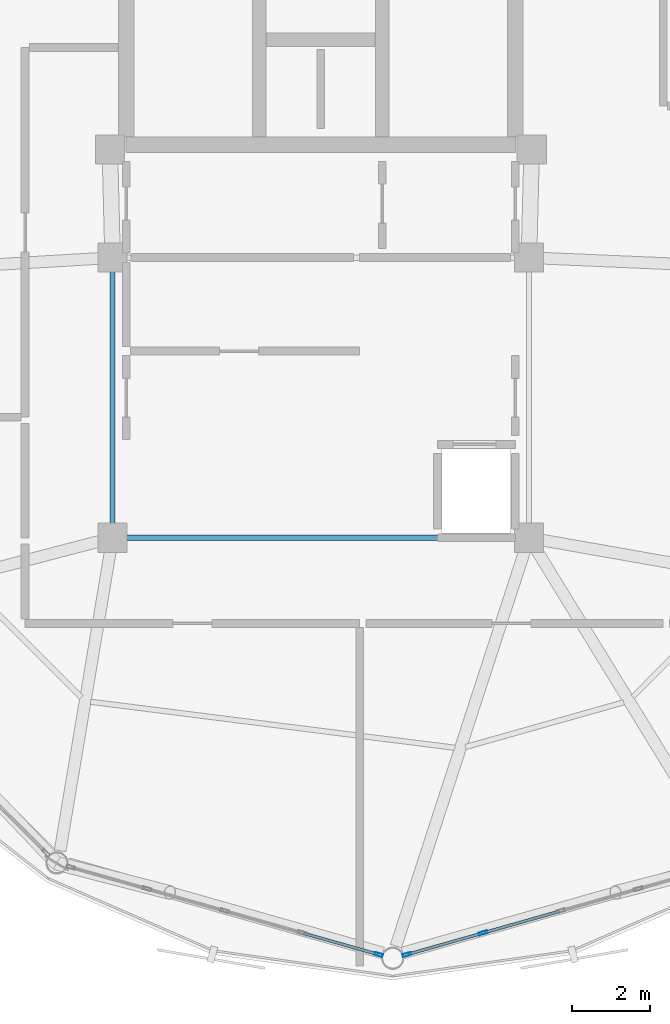
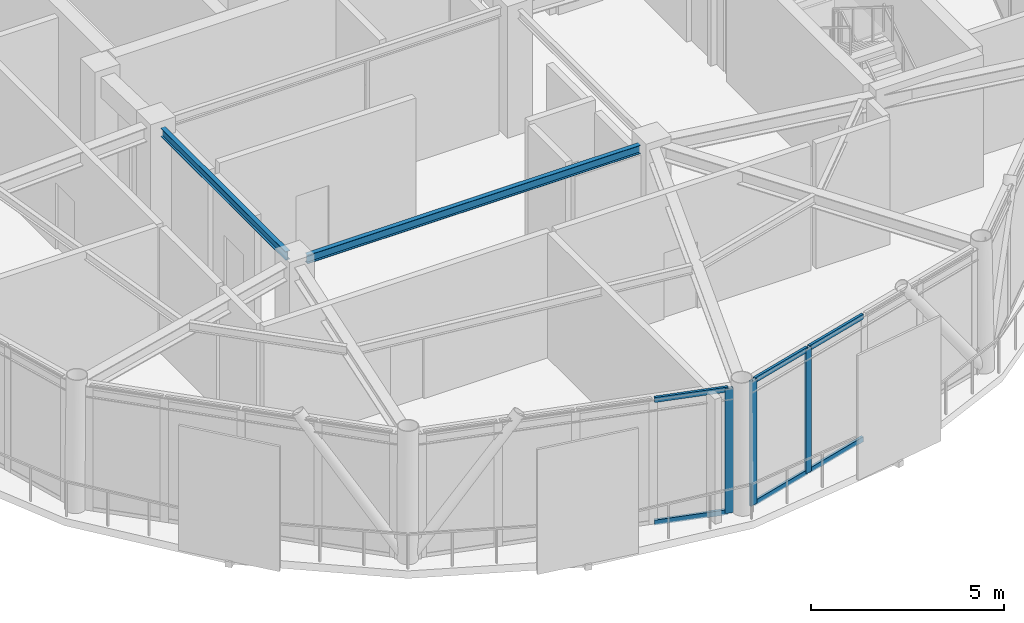
# One storey, part 4 of 20: 9 members, 2 beams, 2 elements without a shape of their own.
"""IFC4 building model written with IfcOpenShell, lengths in metres."""

from ifc_helpers import new_model, si_unit, direction, frame, origin, origin_2d, place, context, subcontext, project, spatial, hollow_rectangle, i_section, extrude, material, layer, layer_set, material_profile, profile_set, type_object, element, aggregate, save


model = new_model("IFC4")

# Units and contexts
model_context = context("Model", 3, precision=1e-05, world=origin(), true_north=direction((0.0, 1.0)))
body_context = subcontext(model_context, "Body", "Model", "MODEL_VIEW")
ifc_project = project(units=[si_unit("LENGTHUNIT", "METRE"), si_unit("AREAUNIT", "SQUARE_METRE"), si_unit("VOLUMEUNIT", "CUBIC_METRE"), si_unit("PLANEANGLEUNIT", "RADIAN"), si_unit("MASSUNIT", "GRAM", prefix="KILO")], contexts=[model_context])

# Site, building, storey
site_placement = place(None, origin())
site = spatial("IfcSite", under=ifc_project, at=site_placement, CompositionType="ELEMENT")
building_placement = place(site_placement, origin())
building = spatial("IfcBuilding", under=site, at=building_placement, Name="Varnakorn Sky Granary", CompositionType="ELEMENT")
storey_placement = place(building_placement, frame((0.0, 0.0, 306.60009765625)))
storey = spatial("IfcBuildingStorey", under=building, at=storey_placement, Name="L78", CompositionType="ELEMENT", Elevation=306.60009765625)

# Beams
ifc_material_1 = material(Name="Steel S355JR", Category="steel")
ifc_material_profile_1 = material_profile(ifc_material_1, i_section(OverallWidth=0.135009765625, OverallDepth=0.27001953125, WebThickness=0.006591796875, FlangeThickness=0.01025390625, at=origin_2d()), Name="IPE 270")
ifc_profile_set_1 = profile_set([ifc_material_profile_1], Name="Steel S355JR")
beam_type = type_object("IfcBeamType", Name="BM-SEC-Z5", PredefinedType="BEAM", material=ifc_profile_set_1)
beam_1_placement = place(storey_placement, frame((-2.35009765625, 0.2451171875, 3.824951171875), z_axis=(0.0, -1.0, 0.0), x_axis=(1.0, 0.0, 0.0)))
element("IfcBeam", 1, at=beam_1_placement, inside=storey, type_object=beam_type, Name="Core Spine Framing Beam 3 L78", PredefinedType="BEAM", context=body_context, shape_type="SweptSolid", body=[
    extrude(i_section(OverallWidth=0.135009765625, OverallDepth=0.27001953125, WebThickness=0.006591796875, FlangeThickness=0.01025390625, at=origin_2d()), origin(), (0.0, 0.0, 1.0), 6.490234375),
])
beam_2_placement = place(storey_placement, frame((-1.9951171875, -6.60009765625, 3.824951171875), z_axis=(1.0, 0.0, 0.0), x_axis=(0.0, 1.0, 0.0)))
element("IfcBeam", 2, at=beam_2_placement, inside=storey, type_object=beam_type, Name="Core Spine Framing Beam 6 L78", PredefinedType="BEAM", context=body_context, shape_type="SweptSolid", body=[
    extrude(i_section(OverallWidth=0.135009765625, OverallDepth=0.27001953125, WebThickness=0.006591796875, FlangeThickness=0.01025390625, at=origin_2d()), origin(), (0.0, 0.0, 1.0), 9.990234375),
])

# Curtain wall, member
ifc_material_2 = material(Name="Anodised Bronze Aluminium Alloy 6063-T6", Category="aluminium")
ifc_layer = layer(ifc_material_2, 0.22998046875, Name="Anodised Bronze Aluminium Alloy 6063-T6")
ifc_layer_set = layer_set([ifc_layer], Name="Anodised Bronze Aluminium Alloy 6063-T6")
curtain_wall_type = type_object("IfcCurtainWallType", Name="CW-LNT-1", PredefinedType="USERDEFINED", material=ifc_layer_set)
curtain_wall_1_placement = place(storey_placement, origin())
curtain_wall_1 = element("IfcCurtainWall", 3, at=curtain_wall_1_placement, inside=storey, type_object=curtain_wall_type, Name="Unitised Curtain Wall CW7 CW-L78-B09", ObjectType="CURTAIN WALL", PredefinedType="USERDEFINED")
ifc_material_profile_2 = material_profile(ifc_material_2, hollow_rectangle(XDim=0.074951171875, YDim=0.219970703125, WallThickness=0.00390625, at=origin_2d()), Name="ALU MULL 75x220")
ifc_profile_set_2 = profile_set([ifc_material_profile_2], Name="Anodised Bronze Aluminium Alloy 6063-T6")
member_type_1 = type_object("IfcMemberType", Name="CW-LNT-1-MULL", PredefinedType="MULLION", material=ifc_profile_set_2)
member_1_placement = place(storey_placement, frame((4.4873046875, -17.31103515625, 0.0), z_axis=(0.0, 0.0, 1.0), x_axis=(-0.272904510897, -0.962041125905, 0.0)))
member_1 = element("IfcMember", 4, at=member_1_placement, type_object=member_type_1, Name="CW7 mullion 1", PredefinedType="MULLION", context=body_context, shape_type="SweptSolid", body=[
    extrude(hollow_rectangle(XDim=0.074951171875, YDim=0.219970703125, WallThickness=0.00390625, at=origin_2d()), origin(), (0.0, 0.0, 1.0), 3.9599609375),
])

# Curtain wall, members
curtain_wall_2_placement = place(storey_placement, origin())
curtain_wall_2 = element("IfcCurtainWall", 5, at=curtain_wall_2_placement, inside=storey, type_object=curtain_wall_type, Name="Unitised Curtain Wall CW7 CW-L78-B10", ObjectType="CURTAIN WALL", PredefinedType="USERDEFINED")
member_2_placement = place(storey_placement, frame((7.17236328125, -16.755126953125, 0.0), z_axis=(0.0, 0.0, 1.0), x_axis=(0.272904510897, -0.962041125905, 0.0)))
member_2 = element("IfcMember", 6, at=member_2_placement, type_object=member_type_1, Name="CW7 mullion 4", PredefinedType="MULLION", context=body_context, shape_type="SweptSolid", body=[
    extrude(hollow_rectangle(XDim=0.074951171875, YDim=0.219970703125, WallThickness=0.00390625, at=origin_2d()), origin(), (0.0, 0.0, 1.0), 3.9599609375),
])
member_3_placement = place(storey_placement, frame((5.212646484375, -17.31103515625, 0.0), z_axis=(0.0, 0.0, 1.0), x_axis=(0.272904510897, -0.962041125905, 0.0)))
member_3 = element("IfcMember", 7, at=member_3_placement, type_object=member_type_1, Name="CW7 mullion 5", PredefinedType="MULLION", context=body_context, shape_type="SweptSolid", body=[
    extrude(hollow_rectangle(XDim=0.074951171875, YDim=0.219970703125, WallThickness=0.00390625, at=origin_2d()), origin(), (0.0, 0.0, 1.0), 3.9599609375),
])

# Member
ifc_material_profile_3 = material_profile(ifc_material_2, hollow_rectangle(XDim=0.074951171875, YDim=0.159912109375, WallThickness=0.00390625, at=origin_2d()), Name="ALU TRAN 75x160")
ifc_profile_set_3 = profile_set([ifc_material_profile_3], Name="Anodised Bronze Aluminium Alloy 6063-T6")
member_type_2 = type_object("IfcMemberType", Name="CW-LNT-1-TRAN", PredefinedType="USERDEFINED", material=ifc_profile_set_3)
member_4_placement = place(storey_placement, frame((4.451171875, -17.30078125, 0.037353515625), z_axis=(-0.962043455015, 0.2728963002, 0.0), x_axis=(-0.2728963002, -0.962043455015, 0.0)))
member_4 = element("IfcMember", 8, at=member_4_placement, type_object=member_type_2, Name="CW7 transom 1.1", ObjectType="TRANSOM", PredefinedType="USERDEFINED", context=body_context, shape_type="SweptSolid", body=[
    extrude(hollow_rectangle(XDim=0.074951171875, YDim=0.159912109375, WallThickness=0.00390625, at=origin_2d()), origin(), (0.0, 0.0, 1.0), 1.9619140625),
])

member_5_placement = place(storey_placement, frame((4.451171875, -17.30078125, 3.92236328125), z_axis=(-0.962043455015, 0.2728963002, 0.0), x_axis=(-0.2728963002, -0.962043455015, 0.0)))
member_5 = element("IfcMember", 9, at=member_5_placement, type_object=member_type_2, Name="CW7 transom 1.2", ObjectType="TRANSOM", PredefinedType="USERDEFINED", context=body_context, shape_type="SweptSolid", body=[
    extrude(hollow_rectangle(XDim=0.074951171875, YDim=0.159912109375, WallThickness=0.00390625, at=origin_2d()), origin(), (0.0, 0.0, 1.0), 1.9619140625),
])

aggregate(curtain_wall_1, [member_1, member_4, member_5])

member_6_placement = place(storey_placement, frame((9.1318359375, -16.19921875, 0.037353515625), z_axis=(-0.962033787822, -0.272930377733, 0.0), x_axis=(0.272930377733, -0.962033787822, 0.0)))
member_6 = element("IfcMember", 10, at=member_6_placement, type_object=member_type_2, Name="CW7 transom 3.1", ObjectType="TRANSOM", PredefinedType="USERDEFINED", context=body_context, shape_type="SweptSolid", body=[
    extrude(hollow_rectangle(XDim=0.074951171875, YDim=0.159912109375, WallThickness=0.00390625, at=origin_2d()), origin(), (0.0, 0.0, 1.0), 1.999267578125),
])

member_7_placement = place(storey_placement, frame((9.1318359375, -16.19921875, 3.92236328125), z_axis=(-0.962033787822, -0.272930377733, 0.0), x_axis=(0.272930377733, -0.962033787822, 0.0)))
member_7 = element("IfcMember", 11, at=member_7_placement, type_object=member_type_2, Name="CW7 transom 3.2", ObjectType="TRANSOM", PredefinedType="USERDEFINED", context=body_context, shape_type="SweptSolid", body=[
    extrude(hollow_rectangle(XDim=0.074951171875, YDim=0.159912109375, WallThickness=0.00390625, at=origin_2d()), origin(), (0.0, 0.0, 1.0), 1.999267578125),
])

member_8_placement = place(storey_placement, frame((7.13623046875, -16.765380859375, 0.037353515625), z_axis=(-0.962043455015, -0.2728963002, 0.0), x_axis=(0.2728963002, -0.962043455015, 0.0)))
member_8 = element("IfcMember", 12, at=member_8_placement, type_object=member_type_2, Name="CW7 transom 4.1", ObjectType="TRANSOM", PredefinedType="USERDEFINED", context=body_context, shape_type="SweptSolid", body=[
    extrude(hollow_rectangle(XDim=0.074951171875, YDim=0.159912109375, WallThickness=0.00390625, at=origin_2d()), origin(), (0.0, 0.0, 1.0), 1.9619140625),
])

member_9_placement = place(storey_placement, frame((7.13623046875, -16.765380859375, 3.92236328125), z_axis=(-0.962043455015, -0.2728963002, 0.0), x_axis=(0.2728963002, -0.962043455015, 0.0)))
member_9 = element("IfcMember", 13, at=member_9_placement, type_object=member_type_2, Name="CW7 transom 4.2", ObjectType="TRANSOM", PredefinedType="USERDEFINED", context=body_context, shape_type="SweptSolid", body=[
    extrude(hollow_rectangle(XDim=0.074951171875, YDim=0.159912109375, WallThickness=0.00390625, at=origin_2d()), origin(), (0.0, 0.0, 1.0), 1.9619140625),
])

aggregate(curtain_wall_2, [member_2, member_3, member_6, member_7, member_8, member_9])

save(model, "model.ifc")
